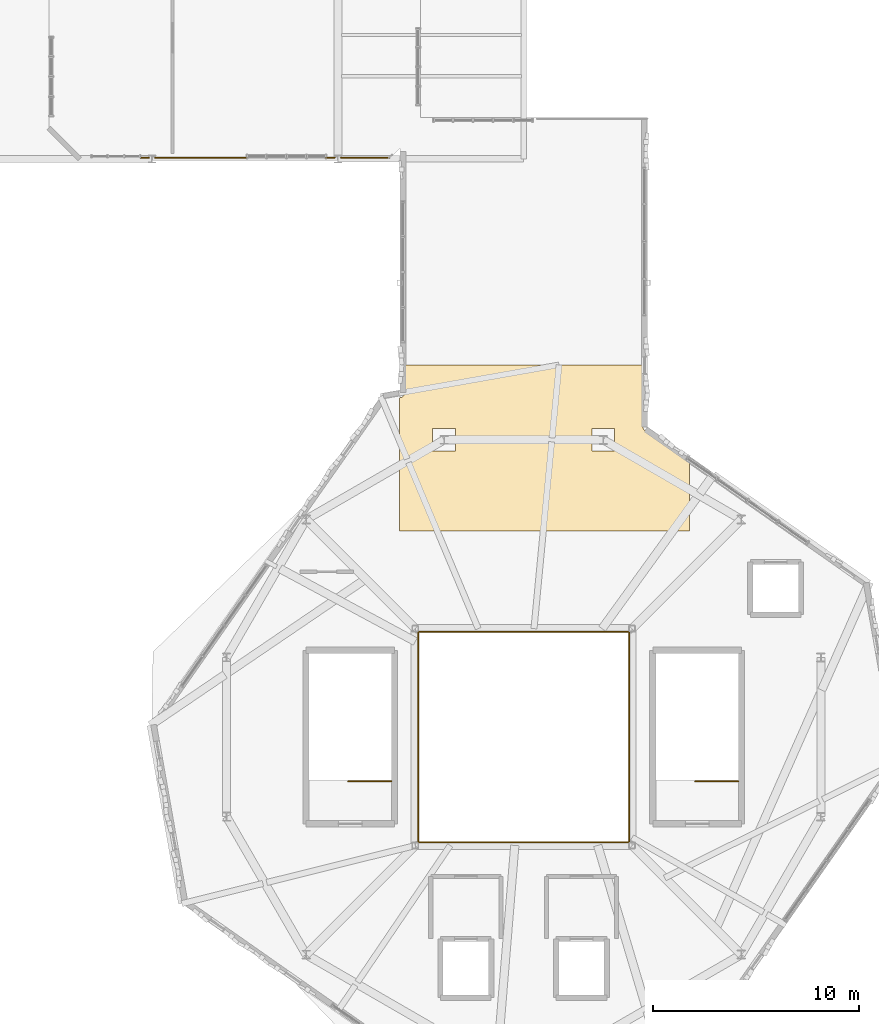
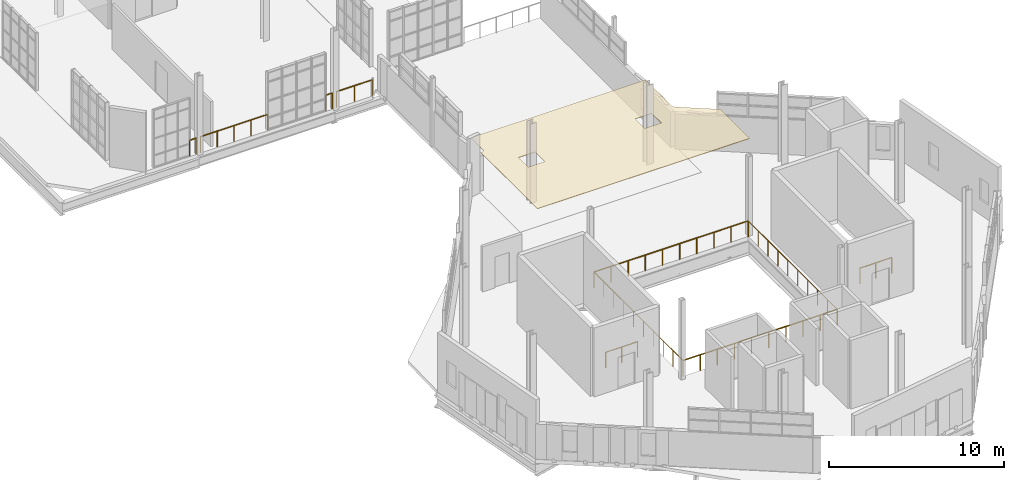
# One storey, part 35 of 36: 10 railings, 1 covering.
"""IFC4 building model written with IfcOpenShell, lengths in metres."""

from ifc_helpers import new_model, si_unit, direction, frame, origin, origin_2d, place, context, subcontext, project, spatial, polyline, circle, outline, extrude, material, layer, layer_set, type_object, element, save


model = new_model("IFC4")

# Units and contexts
model_context = context("Model", 3, precision=1e-05, world=origin(), true_north=direction((0.0, 1.0)))
body_context = subcontext(model_context, "Body", "Model", "MODEL_VIEW")
ifc_project = project(units=[si_unit("LENGTHUNIT", "METRE"), si_unit("AREAUNIT", "SQUARE_METRE"), si_unit("VOLUMEUNIT", "CUBIC_METRE"), si_unit("PLANEANGLEUNIT", "RADIAN"), si_unit("MASSUNIT", "GRAM", prefix="KILO"), si_unit("THERMODYNAMICTEMPERATUREUNIT", "KELVIN"), si_unit("POWERUNIT", "WATT")], contexts=[model_context])

# Site, building, storey
site_placement = place(None, origin())
site = spatial("IfcSite", under=ifc_project, at=site_placement, CompositionType="ELEMENT")
building_placement = place(site_placement, origin())
building = spatial("IfcBuilding", under=site, at=building_placement, Name="Zelmaris Science Centre", CompositionType="ELEMENT")
storey_placement = place(building_placement, frame((0.0, 0.0, 25.199951171875)))
storey = spatial("IfcBuildingStorey", under=building, at=storey_placement, Name="L05", CompositionType="ELEMENT", Elevation=25.199951171875)

# Covering
ifc_material_1 = material(Name="Perforated mineral-fibre acoustic ceiling tile")
ifc_layer = layer(ifc_material_1, 0.0400390625, Name="Perforated mineral-fibre acoustic ceiling tile")
ifc_layer_set = layer_set([ifc_layer], Name="Perforated mineral-fibre acoustic ceiling tile")
covering_type = type_object("IfcCoveringType", Name="Acoustic Ceiling CLG-01 40mm", PredefinedType="CEILING", material=ifc_layer_set)
covering_placement = place(storey_placement, frame((0.0, 0.0, 2.85009765625)))
element("IfcCovering", 1, at=covering_placement, inside=storey, type_object=covering_type, Name="L05 Climate Futures Interactive Studio acoustic ceiling", PredefinedType="CEILING", context=body_context, shape_type="SweptSolid", body=[
    extrude(outline(polyline([(89.02001953125, 45.998046875), (89.01953125, 45.99609375), (89.01904296875, 45.994140625), (89.0185546875, 45.9921875), (89.017578125, 45.990478515625), (89.0166015625, 45.989013671875), (89.015380859375, 45.9873046875), (89.01416015625, 45.98583984375), (89.0126953125, 45.984619140625), (89.010986328125, 45.9833984375), (89.009521484375, 45.982421875), (89.0078125, 45.9814453125), (89.005859375, 45.98095703125), (89.00390625, 45.98046875), (89.001953125, 45.97998046875), (89.0, 45.97998046875), (75.0, 45.97998046875), (74.998046875, 45.97998046875), (74.99609375, 45.98046875), (74.994140625, 45.98095703125), (74.9921875, 45.9814453125), (74.990478515625, 45.982421875), (74.989013671875, 45.9833984375), (74.9873046875, 45.984619140625), (74.98583984375, 45.98583984375), (74.984619140625, 45.9873046875), (74.9833984375, 45.989013671875), (74.982421875, 45.990478515625), (74.9814453125, 45.9921875), (74.98095703125, 45.994140625), (74.98046875, 45.99609375), (74.97998046875, 45.998046875), (74.97998046875, 46.0), (74.97998046875, 52.40869140625), (74.97998046875, 52.41064453125), (74.98046875, 52.41259765625), (74.980712890625, 52.414306640625), (74.9814453125, 52.416259765625), (74.982421875, 52.41796875), (74.983154296875, 52.419677734375), (74.984375, 52.421142578125), (74.985595703125, 52.422607421875), (74.987060546875, 52.423828125), (74.988525390625, 52.425048828125), (74.989990234375, 52.426025390625), (74.99169921875, 52.427001953125), (74.99365234375, 52.427734375), (74.99560546875, 52.42822265625), (75.083984375, 52.44873046875), (75.143310546875, 52.48291015625), (75.189453125, 52.53271484375), (75.22509765625, 52.6171875), (75.22998046875, 54.0), (75.22998046875, 54.001953125), (75.23046875, 54.00390625), (75.23095703125, 54.005859375), (75.2314453125, 54.0078125), (75.232421875, 54.009521484375), (75.2333984375, 54.010986328125), (75.234619140625, 54.0126953125), (75.23583984375, 54.01416015625), (75.2373046875, 54.015380859375), (75.239013671875, 54.0166015625), (75.240478515625, 54.017578125), (75.242431640625, 54.0185546875), (75.244140625, 54.01904296875), (75.24609375, 54.01953125), (75.248046875, 54.02001953125), (75.25, 54.02001953125), (86.75, 54.02001953125), (86.751953125, 54.02001953125), (86.75390625, 54.01953125), (86.755859375, 54.01904296875), (86.7578125, 54.0185546875), (86.759521484375, 54.017578125), (86.760986328125, 54.0166015625), (86.7626953125, 54.015380859375), (86.76416015625, 54.01416015625), (86.765380859375, 54.0126953125), (86.7666015625, 54.010986328125), (86.767578125, 54.009521484375), (86.7685546875, 54.0078125), (86.76904296875, 54.005859375), (86.76953125, 54.00390625), (86.77001953125, 54.001953125), (86.77001953125, 54.0), (86.77001953125, 51.021484375), (86.79638671875, 50.913330078125), (86.8701171875, 50.829345703125), (89.011474609375, 49.330078125), (89.012939453125, 49.328857421875), (89.014404296875, 49.327392578125), (89.015625, 49.326171875), (89.016845703125, 49.324462890625), (89.017578125, 49.32275390625), (89.0185546875, 49.321044921875), (89.019287109375, 49.3193359375), (89.01953125, 49.3173828125), (89.02001953125, 49.3154296875), (89.02001953125, 49.313720703125), (89.02001953125, 46.0), (89.02001953125, 45.998046875)]), holes=[polyline([(84.306396484375, 50.9423828125), (84.306396484375, 49.84228515625), (85.406494140625, 49.84228515625), (85.406494140625, 50.9423828125), (84.306396484375, 50.9423828125)]), polyline([(76.593505859375, 49.84228515625), (77.693603515625, 49.84228515625), (77.693603515625, 50.9423828125), (76.593505859375, 50.9423828125), (76.593505859375, 49.84228515625)])]), origin(), (0.0, 0.0, 1.0), 0.0400390625),
])

# Railings
ifc_material_2 = material(Name="Architectural bronze alloy C28000")
railing_type = type_object("IfcRailingType", Name="Balustrade GD-01 H1120", PredefinedType="BALUSTRADE", material=ifc_material_2)
railing_1_placement = place(storey_placement, frame((75.89990234375, 30.89990234375, 0.0)))
element("IfcRailing", 2, at=railing_1_placement, inside=storey, type_object=railing_type, Name="L05 Atrium void balustrade 46", PredefinedType="BALUSTRADE", context=body_context, shape_type="SweptSolid", body=[
    extrude(circle(Radius=0.02392578125, at=origin_2d()), frame((0.0, 0.0, 1.09619140625), z_axis=(1.0, 0.0, 0.0), x_axis=(0.0, 1.0, 0.0)), (0.0, 0.0, 1.0), 10.2001953125),
    extrude(circle(Radius=0.02099609375, at=origin_2d()), origin(), (0.0, 0.0, 1.0), 1.072021484375),
    extrude(circle(Radius=0.02099609375, at=origin_2d()), frame((1.13330078125, 0.0, 0.0)), (0.0, 0.0, 1.0), 1.072021484375),
    extrude(circle(Radius=0.02099609375, at=origin_2d()), frame((2.2666015625, 0.0, 0.0)), (0.0, 0.0, 1.0), 1.072021484375),
    extrude(circle(Radius=0.02099609375, at=origin_2d()), frame((3.400146484375, 0.0, 0.0)), (0.0, 0.0, 1.0), 1.072021484375),
    extrude(circle(Radius=0.02099609375, at=origin_2d()), frame((4.533447265625, 0.0, 0.0)), (0.0, 0.0, 1.0), 1.072021484375),
    extrude(circle(Radius=0.02099609375, at=origin_2d()), frame((5.666748046875, 0.0, 0.0)), (0.0, 0.0, 1.0), 1.072021484375),
    extrude(circle(Radius=0.02099609375, at=origin_2d()), frame((6.800048828125, 0.0, 0.0)), (0.0, 0.0, 1.0), 1.072021484375),
    extrude(circle(Radius=0.02099609375, at=origin_2d()), frame((7.93359375, 0.0, 0.0)), (0.0, 0.0, 1.0), 1.072021484375),
    extrude(circle(Radius=0.02099609375, at=origin_2d()), frame((9.06689453125, 0.0, 0.0)), (0.0, 0.0, 1.0), 1.072021484375),
    extrude(circle(Radius=0.02099609375, at=origin_2d()), frame((10.2001953125, 0.0, 0.0)), (0.0, 0.0, 1.0), 1.072021484375),
])
railing_2_placement = place(storey_placement, frame((86.10009765625, 30.89990234375, 0.0)))
element("IfcRailing", 3, at=railing_2_placement, inside=storey, type_object=railing_type, Name="L05 Atrium void balustrade 47", PredefinedType="BALUSTRADE", context=body_context, shape_type="SweptSolid", body=[
    extrude(circle(Radius=0.02392578125, at=origin_2d()), frame((0.0, 0.0, 1.09619140625), z_axis=(0.0, 1.0, 0.0), x_axis=(-1.0, 0.0, 0.0)), (0.0, 0.0, 1.0), 10.2001953125),
    extrude(circle(Radius=0.02099609375, at=origin_2d()), origin(), (0.0, 0.0, 1.0), 1.072021484375),
    extrude(circle(Radius=0.02099609375, at=origin_2d()), frame((0.0, 1.13330078125, 0.0)), (0.0, 0.0, 1.0), 1.072021484375),
    extrude(circle(Radius=0.02099609375, at=origin_2d()), frame((0.0, 2.2666015625, 0.0)), (0.0, 0.0, 1.0), 1.072021484375),
    extrude(circle(Radius=0.02099609375, at=origin_2d()), frame((0.0, 3.400146484375, 0.0)), (0.0, 0.0, 1.0), 1.072021484375),
    extrude(circle(Radius=0.02099609375, at=origin_2d()), frame((0.0, 4.533447265625, 0.0)), (0.0, 0.0, 1.0), 1.072021484375),
    extrude(circle(Radius=0.02099609375, at=origin_2d()), frame((0.0, 5.666748046875, 0.0)), (0.0, 0.0, 1.0), 1.072021484375),
    extrude(circle(Radius=0.02099609375, at=origin_2d()), frame((0.0, 6.800048828125, 0.0)), (0.0, 0.0, 1.0), 1.072021484375),
    extrude(circle(Radius=0.02099609375, at=origin_2d()), frame((0.0, 7.93359375, 0.0)), (0.0, 0.0, 1.0), 1.072021484375),
    extrude(circle(Radius=0.02099609375, at=origin_2d()), frame((0.0, 9.06689453125, 0.0)), (0.0, 0.0, 1.0), 1.072021484375),
    extrude(circle(Radius=0.02099609375, at=origin_2d()), frame((0.0, 10.2001953125, 0.0)), (0.0, 0.0, 1.0), 1.072021484375),
])
railing_3_placement = place(storey_placement, frame((86.10009765625, 41.10009765625, 0.0)))
element("IfcRailing", 4, at=railing_3_placement, inside=storey, type_object=railing_type, Name="L05 Atrium void balustrade 48", PredefinedType="BALUSTRADE", context=body_context, shape_type="SweptSolid", body=[
    extrude(circle(Radius=0.02392578125, at=origin_2d()), frame((0.0, 0.0, 1.09619140625), z_axis=(-1.0, 0.0, 0.0), x_axis=(0.0, -1.0, 0.0)), (0.0, 0.0, 1.0), 10.2001953125),
    extrude(circle(Radius=0.02099609375, at=origin_2d()), origin(), (0.0, 0.0, 1.0), 1.072021484375),
    extrude(circle(Radius=0.02099609375, at=origin_2d()), frame((-1.13330078125, 0.0, 0.0)), (0.0, 0.0, 1.0), 1.072021484375),
    extrude(circle(Radius=0.02099609375, at=origin_2d()), frame((-2.2666015625, 0.0, 0.0)), (0.0, 0.0, 1.0), 1.072021484375),
    extrude(circle(Radius=0.02099609375, at=origin_2d()), frame((-3.400146484375, 0.0, 0.0)), (0.0, 0.0, 1.0), 1.072021484375),
    extrude(circle(Radius=0.02099609375, at=origin_2d()), frame((-4.533447265625, 0.0, 0.0)), (0.0, 0.0, 1.0), 1.072021484375),
    extrude(circle(Radius=0.02099609375, at=origin_2d()), frame((-5.666748046875, 0.0, 0.0)), (0.0, 0.0, 1.0), 1.072021484375),
    extrude(circle(Radius=0.02099609375, at=origin_2d()), frame((-6.800048828125, 0.0, 0.0)), (0.0, 0.0, 1.0), 1.072021484375),
    extrude(circle(Radius=0.02099609375, at=origin_2d()), frame((-7.93359375, 0.0, 0.0)), (0.0, 0.0, 1.0), 1.072021484375),
    extrude(circle(Radius=0.02099609375, at=origin_2d()), frame((-9.06689453125, 0.0, 0.0)), (0.0, 0.0, 1.0), 1.072021484375),
    extrude(circle(Radius=0.02099609375, at=origin_2d()), frame((-10.2001953125, 0.0, 0.0)), (0.0, 0.0, 1.0), 1.072021484375),
])
railing_4_placement = place(storey_placement, frame((75.89990234375, 41.10009765625, 0.0)))
element("IfcRailing", 5, at=railing_4_placement, inside=storey, type_object=railing_type, Name="L05 Atrium void balustrade 49", PredefinedType="BALUSTRADE", context=body_context, shape_type="SweptSolid", body=[
    extrude(circle(Radius=0.02392578125, at=origin_2d()), frame((0.0, 0.0, 1.09619140625), z_axis=(0.0, -1.0, 0.0), x_axis=(1.0, 0.0, 0.0)), (0.0, 0.0, 1.0), 10.2001953125),
    extrude(circle(Radius=0.02099609375, at=origin_2d()), origin(), (0.0, 0.0, 1.0), 1.072021484375),
    extrude(circle(Radius=0.02099609375, at=origin_2d()), frame((0.0, -1.13330078125, 0.0)), (0.0, 0.0, 1.0), 1.072021484375),
    extrude(circle(Radius=0.02099609375, at=origin_2d()), frame((0.0, -2.2666015625, 0.0)), (0.0, 0.0, 1.0), 1.072021484375),
    extrude(circle(Radius=0.02099609375, at=origin_2d()), frame((0.0, -3.400146484375, 0.0)), (0.0, 0.0, 1.0), 1.072021484375),
    extrude(circle(Radius=0.02099609375, at=origin_2d()), frame((0.0, -4.533447265625, 0.0)), (0.0, 0.0, 1.0), 1.072021484375),
    extrude(circle(Radius=0.02099609375, at=origin_2d()), frame((0.0, -5.666748046875, 0.0)), (0.0, 0.0, 1.0), 1.072021484375),
    extrude(circle(Radius=0.02099609375, at=origin_2d()), frame((0.0, -6.800048828125, 0.0)), (0.0, 0.0, 1.0), 1.072021484375),
    extrude(circle(Radius=0.02099609375, at=origin_2d()), frame((0.0, -7.93359375, 0.0)), (0.0, 0.0, 1.0), 1.072021484375),
    extrude(circle(Radius=0.02099609375, at=origin_2d()), frame((0.0, -9.06689453125, 0.0)), (0.0, 0.0, 1.0), 1.072021484375),
    extrude(circle(Radius=0.02099609375, at=origin_2d()), frame((0.0, -10.2001953125, 0.0)), (0.0, 0.0, 1.0), 1.072021484375),
])
railing_5_placement = place(storey_placement, frame((74.49853515625, 64.06005859375, 0.0)))
element("IfcRailing", 6, at=railing_5_placement, inside=storey, type_object=railing_type, Name="L05 Perimeter safety balustrade 279", PredefinedType="BALUSTRADE", context=body_context, shape_type="SweptSolid", body=[
    extrude(circle(Radius=0.02392578125, at=origin_2d()), frame((0.0, 0.0, 1.09619140625), z_axis=(-1.0, 0.0, 0.0), x_axis=(0.0, -1.0, 0.0)), (0.0, 0.0, 1.0), 2.3505859375),
    extrude(circle(Radius=0.02099609375, at=origin_2d()), origin(), (0.0, 0.0, 1.0), 1.072021484375),
    extrude(circle(Radius=0.02099609375, at=origin_2d()), frame((-1.17529296875, 0.0, 0.0)), (0.0, 0.0, 1.0), 1.072021484375),
    extrude(circle(Radius=0.02099609375, at=origin_2d()), frame((-2.3505859375, 0.0, 0.0)), (0.0, 0.0, 1.0), 1.072021484375),
])
railing_6_placement = place(storey_placement, frame((71.85205078125, 64.06005859375, 0.0)))
element("IfcRailing", 7, at=railing_6_placement, inside=storey, type_object=railing_type, Name="L05 Perimeter safety balustrade 280", PredefinedType="BALUSTRADE", context=body_context, shape_type="SweptSolid", body=[
    extrude(circle(Radius=0.02392578125, at=origin_2d()), frame((0.0, 0.0, 1.09619140625), z_axis=(-1.0, 0.0, 0.0), x_axis=(0.0, -1.0, 0.0)), (0.0, 0.0, 1.0), 0.422119140625),
    extrude(circle(Radius=0.02099609375, at=origin_2d()), origin(), (0.0, 0.0, 1.0), 1.072021484375),
    extrude(circle(Radius=0.02099609375, at=origin_2d()), frame((-0.422119140625, 0.0, 0.0)), (0.0, 0.0, 1.0), 1.072021484375),
])
railing_7_placement = place(storey_placement, frame((67.590087890625, 64.06005859375, 0.0)))
element("IfcRailing", 8, at=railing_7_placement, inside=storey, type_object=railing_type, Name="L05 Perimeter safety balustrade 281", PredefinedType="BALUSTRADE", context=body_context, shape_type="SweptSolid", body=[
    extrude(circle(Radius=0.02392578125, at=origin_2d()), frame((0.0, 0.0, 1.09619140625), z_axis=(-1.0, 0.0, 0.0), x_axis=(0.0, -1.0, 0.0)), (0.0, 0.0, 1.0), 4.442138671875),
    extrude(circle(Radius=0.02099609375, at=origin_2d()), origin(), (0.0, 0.0, 1.0), 1.072021484375),
    extrude(circle(Radius=0.02099609375, at=origin_2d()), frame((-1.110595703125, 0.0, 0.0)), (0.0, 0.0, 1.0), 1.072021484375),
    extrude(circle(Radius=0.02099609375, at=origin_2d()), frame((-2.22119140625, 0.0, 0.0)), (0.0, 0.0, 1.0), 1.072021484375),
    extrude(circle(Radius=0.02099609375, at=origin_2d()), frame((-3.33154296875, 0.0, 0.0)), (0.0, 0.0, 1.0), 1.072021484375),
    extrude(circle(Radius=0.02099609375, at=origin_2d()), frame((-4.442138671875, 0.0, 0.0)), (0.0, 0.0, 1.0), 1.072021484375),
])
railing_8_placement = place(storey_placement, frame((62.85205078125, 64.06005859375, 0.0)))
element("IfcRailing", 9, at=railing_8_placement, inside=storey, type_object=railing_type, Name="L05 Perimeter safety balustrade 282", PredefinedType="BALUSTRADE", context=body_context, shape_type="SweptSolid", body=[
    extrude(circle(Radius=0.02392578125, at=origin_2d()), frame((0.0, 0.0, 1.09619140625), z_axis=(-1.0, 0.0, 0.0), x_axis=(0.0, -1.0, 0.0)), (0.0, 0.0, 1.0), 0.422119140625),
    extrude(circle(Radius=0.02099609375, at=origin_2d()), origin(), (0.0, 0.0, 1.0), 1.072021484375),
    extrude(circle(Radius=0.02099609375, at=origin_2d()), frame((-0.422119140625, 0.0, 0.0)), (0.0, 0.0, 1.0), 1.072021484375),
])
railing_9_placement = place(storey_placement, frame((74.60009765625, 33.85009765625, 0.0)))
element("IfcRailing", 10, at=railing_9_placement, inside=storey, type_object=railing_type, Name="L05 ST-1 top well guard 1", PredefinedType="BALUSTRADE", context=body_context, shape_type="SweptSolid", body=[
    extrude(circle(Radius=0.02392578125, at=origin_2d()), frame((0.0, 0.0, 1.076171875), z_axis=(-1.0, 0.0, 0.0), x_axis=(0.0, -1.0, 0.0)), (0.0, 0.0, 1.0), 2.10009765625),
    extrude(circle(Radius=0.02099609375, at=origin_2d()), origin(), (0.0, 0.0, 1.0), 1.052001953125),
    extrude(circle(Radius=0.02099609375, at=origin_2d()), frame((-1.050048828125, 0.0, 0.0)), (0.0, 0.0, 1.0), 1.052001953125),
    extrude(circle(Radius=0.02099609375, at=origin_2d()), frame((-2.10009765625, 0.0, 0.0)), (0.0, 0.0, 1.0), 1.052001953125),
])
railing_10_placement = place(storey_placement, frame((91.39990234375, 33.85009765625, 0.0)))
element("IfcRailing", 11, at=railing_10_placement, inside=storey, type_object=railing_type, Name="L05 ST-2 top well guard 1", PredefinedType="BALUSTRADE", context=body_context, shape_type="SweptSolid", body=[
    extrude(circle(Radius=0.02392578125, at=origin_2d()), frame((0.0, 0.0, 1.076171875), z_axis=(-1.0, 0.0, 0.0), x_axis=(0.0, -1.0, 0.0)), (0.0, 0.0, 1.0), 2.099853515625),
    extrude(circle(Radius=0.02099609375, at=origin_2d()), origin(), (0.0, 0.0, 1.0), 1.052001953125),
    extrude(circle(Radius=0.02099609375, at=origin_2d()), frame((-1.0498046875, 0.0, 0.0)), (0.0, 0.0, 1.0), 1.052001953125),
    extrude(circle(Radius=0.02099609375, at=origin_2d()), frame((-2.099853515625, 0.0, 0.0)), (0.0, 0.0, 1.0), 1.052001953125),
])

save(model, "model.ifc")
